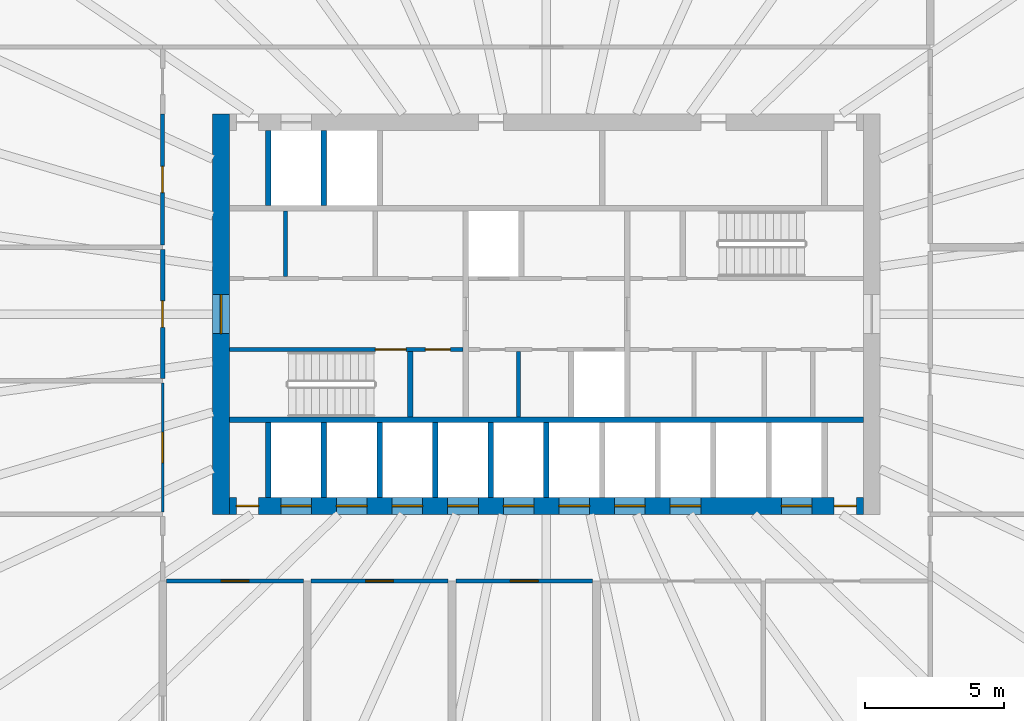
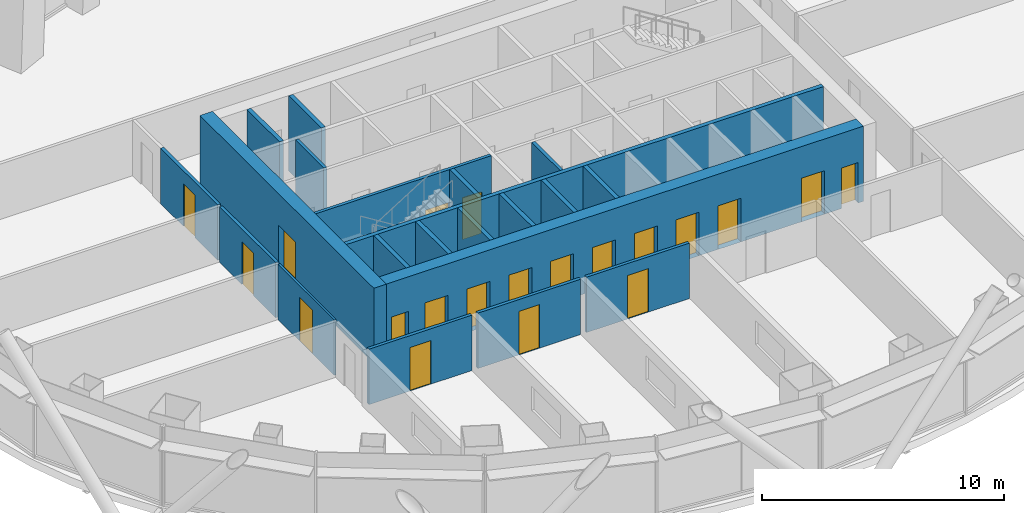
# One storey, part 7 of 16: 21 walls, 20 doors, 20 openings.
"""IFC4 building model written with IfcOpenShell, lengths in metres."""

from ifc_helpers import new_model, si_unit, direction, frame, frame_2d, origin, place, context, subcontext, project, spatial, rectangle, extrude, material, layer, layer_set, type_object, element, fill, save


model = new_model("IFC4")

# Units and contexts
model_context = context("Model", 3, precision=1e-05, world=origin(), true_north=direction((0.0, 1.0)))
body_context = subcontext(model_context, "Body", "Model", "MODEL_VIEW")
ifc_project = project(units=[si_unit("LENGTHUNIT", "METRE"), si_unit("AREAUNIT", "SQUARE_METRE"), si_unit("VOLUMEUNIT", "CUBIC_METRE"), si_unit("PLANEANGLEUNIT", "RADIAN"), si_unit("MASSUNIT", "GRAM", prefix="KILO")], contexts=[model_context])

# Site, building, storey
site_placement = place(None, origin())
site = spatial("IfcSite", under=ifc_project, at=site_placement, CompositionType="ELEMENT")
building_placement = place(site_placement, origin())
building = spatial("IfcBuilding", under=site, at=building_placement, Name="Siaravel Broadcast Tower", CompositionType="ELEMENT")
storey_placement = place(building_placement, frame((0.0, 0.0, 28.699951171875)))
storey = spatial("IfcBuildingStorey", under=building, at=storey_placement, Name="L05", CompositionType="ELEMENT", Elevation=28.699951171875)

# Walls
ifc_material_1 = material(Name="Concrete blockwork", Category="masonry")
ifc_layer_1 = layer(ifc_material_1, 0.14990234375)
ifc_layer_set_1 = layer_set([ifc_layer_1], Name="Concrete blockwork")
wall_type_1 = type_object("IfcWallType", Name="Core partition 150", PredefinedType="PARTITIONING", material=ifc_layer_set_1)
for number, where, z_axis, x_axis, name in (
    (1, (-9.381103515625, 1.35009765625, 0.0), (0.0, 0.0, 1.0), (0.0, 1.0, 0.0), "L05 core partition PNW0"),
    (2, (-1.0, -3.699951171875, 0.0), (0.0, 0.0, 1.0), (0.0, 1.0, 0.0), "L05 core partition PSM0"),
):
    element("IfcWall", number, at=place(storey_placement, frame(where, z_axis=z_axis, x_axis=x_axis)), inside=storey, type_object=wall_type_1, Name=name, PredefinedType="PARTITIONING", context=body_context, shape_type="SweptSolid", body=[
        extrude(rectangle(XDim=2.349853515625, YDim=0.14990234375, at=frame_2d((1.1748046875, 0.0))), origin(), (0.0, 0.0, 1.0), 3.800048828125),
    ])

# Wall, opening, door
ifc_material_2 = material(Name="Concrete C60/75", Category="concrete")
ifc_layer_2 = layer(ifc_material_2, 0.60009765625)
ifc_layer_set_2 = layer_set([ifc_layer_2], Name="Concrete C60/75")
wall_type_2 = type_object("IfcWallType", Name="Core wall 600", PredefinedType="SHEAR", material=ifc_layer_set_2)
wall_1_placement = place(storey_placement, frame((-11.699951171875, -7.199951171875, 0.0), z_axis=(0.0, 0.0, 1.0), x_axis=(0.0, 1.0, 0.0)))
wall_1 = element("IfcWall", 3, at=wall_1_placement, inside=storey, type_object=wall_type_2, Name="L05 core wall OW", PredefinedType="SHEAR", context=body_context, shape_type="SweptSolid", body=[
    extrude(rectangle(XDim=14.39990234375, YDim=0.60009765625, at=frame_2d((7.199951171875, 0.0))), origin(), (0.0, 0.0, 1.0), 3.800048828125),
])
opening_1_placement = place(wall_1_placement, frame((6.5, 0.0, 0.0)))
opening_1 = element("IfcOpeningElement", 4, at=opening_1_placement, cuts=wall_1, Name="Opening L05-DX-W", PredefinedType="OPENING", context=body_context, shape_type="SweptSolid", body=[
    extrude(rectangle(XDim=1.39990234375, YDim=2.199951171875, at=frame_2d((0.699951171875, 1.10009765625))), frame((0.0, 0.31005859375, 0.0), z_axis=(0.0, -1.0, 0.0), x_axis=(1.0, 0.0, 0.0)), (0.0, 0.0, 1.0), 0.6201171875),
])
ifc_material_3 = material(Name="Steel", Category="steel")
door_type_1 = type_object("IfcDoorType", Name="Core exit door 1400", OperationType="DOUBLE_DOOR_SINGLE_SWING", PredefinedType="DOOR", material=ifc_material_3)
door_1_placement = place(opening_1_placement, origin())
door_1 = element("IfcDoor", 5, at=door_1_placement, inside=storey, type_object=door_type_1, Name="L05 door DX-W", OperationType="DOUBLE_DOOR_SINGLE_SWING", OverallHeight=2.199951171875, OverallWidth=1.39990234375, PredefinedType="DOOR", context=body_context, shape_type="SweptSolid", body=[
    extrude(rectangle(XDim=1.39990234375, YDim=2.199951171875, at=frame_2d((0.699951171875, 1.10009765625))), frame((0.0, 0.02490234375, 0.0), z_axis=(0.0, -1.0, 0.0), x_axis=(1.0, 0.0, 0.0)), (0.0, 0.0, 1.0), 0.050048828125),
])
fill(opening_1, door_1)

# Wall, openings, doors
wall_2_placement = place(storey_placement, frame((-11.39990234375, -6.89990234375, 0.0), z_axis=(0.0, 0.0, 1.0), x_axis=(1.0, 0.0, 0.0)))
wall_2 = element("IfcWall", 6, at=wall_2_placement, inside=storey, type_object=wall_type_2, Name="L05 core wall OS", PredefinedType="SHEAR", context=body_context, shape_type="SweptSolid", body=[
    extrude(rectangle(XDim=22.7998046875, YDim=0.60009765625, at=frame_2d((11.39990234375, 0.0))), origin(), (0.0, 0.0, 1.0), 3.800048828125),
])
opening_2_placement = place(wall_2_placement, frame((1.85009765625, 0.0, 0.0)))
opening_2 = element("IfcOpeningElement", 7, at=opening_2_placement, cuts=wall_2, Name="Opening LD-LP1-L05", PredefinedType="OPENING", context=body_context, shape_type="SweptSolid", body=[
    extrude(rectangle(XDim=1.10009765625, YDim=2.199951171875, at=frame_2d((0.550048828125, 1.10009765625))), frame((0.0, 0.31005859375, 0.0), z_axis=(0.0, -1.0, 0.0), x_axis=(1.0, 0.0, 0.0)), (0.0, 0.0, 1.0), 0.6201171875),
])
opening_3_placement = place(wall_2_placement, frame((3.85009765625, 0.0, 0.0)))
opening_3 = element("IfcOpeningElement", 8, at=opening_3_placement, cuts=wall_2, Name="Opening LD-LP2-L05", PredefinedType="OPENING", context=body_context, shape_type="SweptSolid", body=[
    extrude(rectangle(XDim=1.10009765625, YDim=2.199951171875, at=frame_2d((0.550048828125, 1.10009765625))), frame((0.0, 0.31005859375, 0.0), z_axis=(0.0, -1.0, 0.0), x_axis=(1.0, 0.0, 0.0)), (0.0, 0.0, 1.0), 0.6201171875),
])
opening_4_placement = place(wall_2_placement, frame((5.85009765625, 0.0, 0.0)))
opening_4 = element("IfcOpeningElement", 9, at=opening_4_placement, cuts=wall_2, Name="Opening LD-LP3-L05", PredefinedType="OPENING", context=body_context, shape_type="SweptSolid", body=[
    extrude(rectangle(XDim=1.10009765625, YDim=2.199951171875, at=frame_2d((0.550048828125, 1.10009765625))), frame((0.0, 0.31005859375, 0.0), z_axis=(0.0, -1.0, 0.0), x_axis=(1.0, 0.0, 0.0)), (0.0, 0.0, 1.0), 0.6201171875),
])
opening_5_placement = place(wall_2_placement, frame((7.85009765625, 0.0, 0.0)))
opening_5 = element("IfcOpeningElement", 10, at=opening_5_placement, cuts=wall_2, Name="Opening LD-LP4-L05", PredefinedType="OPENING", context=body_context, shape_type="SweptSolid", body=[
    extrude(rectangle(XDim=1.10009765625, YDim=2.199951171875, at=frame_2d((0.550048828125, 1.10009765625))), frame((0.0, 0.31005859375, 0.0), z_axis=(0.0, -1.0, 0.0), x_axis=(1.0, 0.0, 0.0)), (0.0, 0.0, 1.0), 0.6201171875),
])
opening_6_placement = place(wall_2_placement, frame((9.85009765625, 0.0, 0.0)))
opening_6 = element("IfcOpeningElement", 11, at=opening_6_placement, cuts=wall_2, Name="Opening LD-LP5-L05", PredefinedType="OPENING", context=body_context, shape_type="SweptSolid", body=[
    extrude(rectangle(XDim=1.10009765625, YDim=2.199951171875, at=frame_2d((0.550048828125, 1.10009765625))), frame((0.0, 0.31005859375, 0.0), z_axis=(0.0, -1.0, 0.0), x_axis=(1.0, 0.0, 0.0)), (0.0, 0.0, 1.0), 0.6201171875),
])
opening_7_placement = place(wall_2_placement, frame((11.85009765625, 0.0, 0.0)))
opening_7 = element("IfcOpeningElement", 12, at=opening_7_placement, cuts=wall_2, Name="Opening LD-LP6-L05", PredefinedType="OPENING", context=body_context, shape_type="SweptSolid", body=[
    extrude(rectangle(XDim=1.10009765625, YDim=2.199951171875, at=frame_2d((0.550048828125, 1.10009765625))), frame((0.0, 0.31005859375, 0.0), z_axis=(0.0, -1.0, 0.0), x_axis=(1.0, 0.0, 0.0)), (0.0, 0.0, 1.0), 0.6201171875),
])
opening_8_placement = place(wall_2_placement, frame((13.85009765625, 0.0, 0.0)))
opening_8 = element("IfcOpeningElement", 13, at=opening_8_placement, cuts=wall_2, Name="Opening LD-LP7-L05", PredefinedType="OPENING", context=body_context, shape_type="SweptSolid", body=[
    extrude(rectangle(XDim=1.10009765625, YDim=2.199951171875, at=frame_2d((0.550048828125, 1.10009765625))), frame((0.0, 0.31005859375, 0.0), z_axis=(0.0, -1.0, 0.0), x_axis=(1.0, 0.0, 0.0)), (0.0, 0.0, 1.0), 0.6201171875),
])
opening_9_placement = place(wall_2_placement, frame((15.85009765625, 0.0, 0.0)))
opening_9 = element("IfcOpeningElement", 14, at=opening_9_placement, cuts=wall_2, Name="Opening LD-LP8-L05", PredefinedType="OPENING", context=body_context, shape_type="SweptSolid", body=[
    extrude(rectangle(XDim=1.10009765625, YDim=2.199951171875, at=frame_2d((0.550048828125, 1.10009765625))), frame((0.0, 0.31005859375, 0.0), z_axis=(0.0, -1.0, 0.0), x_axis=(1.0, 0.0, 0.0)), (0.0, 0.0, 1.0), 0.6201171875),
])
opening_10_placement = place(wall_2_placement, frame((19.85009765625, 0.0, 0.0)))
opening_10 = element("IfcOpeningElement", 15, at=opening_10_placement, cuts=wall_2, Name="Opening LD-SV1-L05", PredefinedType="OPENING", context=body_context, shape_type="SweptSolid", body=[
    extrude(rectangle(XDim=1.10009765625, YDim=2.199951171875, at=frame_2d((0.550048828125, 1.10009765625))), frame((0.0, 0.31005859375, 0.0), z_axis=(0.0, -1.0, 0.0), x_axis=(1.0, 0.0, 0.0)), (0.0, 0.0, 1.0), 0.6201171875),
])
opening_11_placement = place(wall_2_placement, frame((0.25, 0.0, 0.0)))
opening_11 = element("IfcOpeningElement", 16, at=opening_11_placement, cuts=wall_2, Name="Opening L05-DRSW", PredefinedType="OPENING", context=body_context, shape_type="SweptSolid", body=[
    extrude(rectangle(XDim=0.800048828125, YDim=2.050048828125, at=frame_2d((0.39990234375, 1.02490234375))), frame((0.0, 0.31005859375, 0.0), z_axis=(0.0, -1.0, 0.0), x_axis=(1.0, 0.0, 0.0)), (0.0, 0.0, 1.0), 0.6201171875),
])
opening_12_placement = place(wall_2_placement, frame((21.75, 0.0, 0.0)))
opening_12 = element("IfcOpeningElement", 17, at=opening_12_placement, cuts=wall_2, Name="Opening L05-DRSE", PredefinedType="OPENING", context=body_context, shape_type="SweptSolid", body=[
    extrude(rectangle(XDim=0.800048828125, YDim=2.050048828125, at=frame_2d((0.39990234375, 1.02490234375))), frame((0.0, 0.31005859375, 0.0), z_axis=(0.0, -1.0, 0.0), x_axis=(1.0, 0.0, 0.0)), (0.0, 0.0, 1.0), 0.6201171875),
])
ifc_material_4 = material(Name="Stainless steel 316L", Category="steel")
door_type_2 = type_object("IfcDoorType", Name="Lift landing door 1100", OperationType="DOUBLE_DOOR_SLIDING", PredefinedType="DOOR", material=ifc_material_4)
door_2_placement = place(opening_2_placement, origin())
door_2 = element("IfcDoor", 18, at=door_2_placement, inside=storey, type_object=door_type_2, Name="Landing door LP1 L05", OperationType="DOUBLE_DOOR_SLIDING", OverallHeight=2.199951171875, OverallWidth=1.10009765625, PredefinedType="DOOR", context=body_context, shape_type="SweptSolid", body=[
    extrude(rectangle(XDim=1.10009765625, YDim=2.199951171875, at=frame_2d((0.550048828125, 1.10009765625))), frame((0.0, 0.02490234375, 0.0), z_axis=(0.0, -1.0, 0.0), x_axis=(1.0, 0.0, 0.0)), (0.0, 0.0, 1.0), 0.050048828125),
])
fill(opening_2, door_2)
door_3_placement = place(opening_3_placement, origin())
door_3 = element("IfcDoor", 19, at=door_3_placement, inside=storey, type_object=door_type_2, Name="Landing door LP2 L05", OperationType="DOUBLE_DOOR_SLIDING", OverallHeight=2.199951171875, OverallWidth=1.10009765625, PredefinedType="DOOR", context=body_context, shape_type="SweptSolid", body=[
    extrude(rectangle(XDim=1.10009765625, YDim=2.199951171875, at=frame_2d((0.550048828125, 1.10009765625))), frame((0.0, 0.02490234375, 0.0), z_axis=(0.0, -1.0, 0.0), x_axis=(1.0, 0.0, 0.0)), (0.0, 0.0, 1.0), 0.050048828125),
])
fill(opening_3, door_3)
door_4_placement = place(opening_4_placement, origin())
door_4 = element("IfcDoor", 20, at=door_4_placement, inside=storey, type_object=door_type_2, Name="Landing door LP3 L05", OperationType="DOUBLE_DOOR_SLIDING", OverallHeight=2.199951171875, OverallWidth=1.10009765625, PredefinedType="DOOR", context=body_context, shape_type="SweptSolid", body=[
    extrude(rectangle(XDim=1.10009765625, YDim=2.199951171875, at=frame_2d((0.550048828125, 1.10009765625))), frame((0.0, 0.02490234375, 0.0), z_axis=(0.0, -1.0, 0.0), x_axis=(1.0, 0.0, 0.0)), (0.0, 0.0, 1.0), 0.050048828125),
])
fill(opening_4, door_4)
door_5_placement = place(opening_5_placement, origin())
door_5 = element("IfcDoor", 21, at=door_5_placement, inside=storey, type_object=door_type_2, Name="Landing door LP4 L05", OperationType="DOUBLE_DOOR_SLIDING", OverallHeight=2.199951171875, OverallWidth=1.10009765625, PredefinedType="DOOR", context=body_context, shape_type="SweptSolid", body=[
    extrude(rectangle(XDim=1.10009765625, YDim=2.199951171875, at=frame_2d((0.550048828125, 1.10009765625))), frame((0.0, 0.02490234375, 0.0), z_axis=(0.0, -1.0, 0.0), x_axis=(1.0, 0.0, 0.0)), (0.0, 0.0, 1.0), 0.050048828125),
])
fill(opening_5, door_5)
door_6_placement = place(opening_6_placement, origin())
door_6 = element("IfcDoor", 22, at=door_6_placement, inside=storey, type_object=door_type_2, Name="Landing door LP5 L05", OperationType="DOUBLE_DOOR_SLIDING", OverallHeight=2.199951171875, OverallWidth=1.10009765625, PredefinedType="DOOR", context=body_context, shape_type="SweptSolid", body=[
    extrude(rectangle(XDim=1.10009765625, YDim=2.199951171875, at=frame_2d((0.550048828125, 1.10009765625))), frame((0.0, 0.02490234375, 0.0), z_axis=(0.0, -1.0, 0.0), x_axis=(1.0, 0.0, 0.0)), (0.0, 0.0, 1.0), 0.050048828125),
])
fill(opening_6, door_6)
door_7_placement = place(opening_7_placement, origin())
door_7 = element("IfcDoor", 23, at=door_7_placement, inside=storey, type_object=door_type_2, Name="Landing door LP6 L05", OperationType="DOUBLE_DOOR_SLIDING", OverallHeight=2.199951171875, OverallWidth=1.10009765625, PredefinedType="DOOR", context=body_context, shape_type="SweptSolid", body=[
    extrude(rectangle(XDim=1.10009765625, YDim=2.199951171875, at=frame_2d((0.550048828125, 1.10009765625))), frame((0.0, 0.02490234375, 0.0), z_axis=(0.0, -1.0, 0.0), x_axis=(1.0, 0.0, 0.0)), (0.0, 0.0, 1.0), 0.050048828125),
])
fill(opening_7, door_7)
door_8_placement = place(opening_8_placement, origin())
door_8 = element("IfcDoor", 24, at=door_8_placement, inside=storey, type_object=door_type_2, Name="Landing door LP7 L05", OperationType="DOUBLE_DOOR_SLIDING", OverallHeight=2.199951171875, OverallWidth=1.10009765625, PredefinedType="DOOR", context=body_context, shape_type="SweptSolid", body=[
    extrude(rectangle(XDim=1.10009765625, YDim=2.199951171875, at=frame_2d((0.550048828125, 1.10009765625))), frame((0.0, 0.02490234375, 0.0), z_axis=(0.0, -1.0, 0.0), x_axis=(1.0, 0.0, 0.0)), (0.0, 0.0, 1.0), 0.050048828125),
])
fill(opening_8, door_8)
door_9_placement = place(opening_9_placement, origin())
door_9 = element("IfcDoor", 25, at=door_9_placement, inside=storey, type_object=door_type_2, Name="Landing door LP8 L05", OperationType="DOUBLE_DOOR_SLIDING", OverallHeight=2.199951171875, OverallWidth=1.10009765625, PredefinedType="DOOR", context=body_context, shape_type="SweptSolid", body=[
    extrude(rectangle(XDim=1.10009765625, YDim=2.199951171875, at=frame_2d((0.550048828125, 1.10009765625))), frame((0.0, 0.02490234375, 0.0), z_axis=(0.0, -1.0, 0.0), x_axis=(1.0, 0.0, 0.0)), (0.0, 0.0, 1.0), 0.050048828125),
])
fill(opening_9, door_9)
door_type_3 = type_object("IfcDoorType", Name="Riser door 800", OperationType="SINGLE_SWING_LEFT", PredefinedType="DOOR", material=ifc_material_3)
door_10_placement = place(opening_11_placement, origin())
door_10 = element("IfcDoor", 26, at=door_10_placement, inside=storey, type_object=door_type_3, Name="L05 door DRSW", OperationType="SINGLE_SWING_LEFT", OverallHeight=2.050048828125, OverallWidth=0.800048828125, PredefinedType="DOOR", context=body_context, shape_type="SweptSolid", body=[
    extrude(rectangle(XDim=0.800048828125, YDim=2.050048828125, at=frame_2d((0.39990234375, 1.02490234375))), frame((0.0, 0.02490234375, 0.0), z_axis=(0.0, -1.0, 0.0), x_axis=(1.0, 0.0, 0.0)), (0.0, 0.0, 1.0), 0.050048828125),
])
fill(opening_11, door_10)
door_11_placement = place(opening_12_placement, origin())
door_11 = element("IfcDoor", 27, at=door_11_placement, inside=storey, type_object=door_type_3, Name="L05 door DRSE", OperationType="SINGLE_SWING_LEFT", OverallHeight=2.050048828125, OverallWidth=0.800048828125, PredefinedType="DOOR", context=body_context, shape_type="SweptSolid", body=[
    extrude(rectangle(XDim=0.800048828125, YDim=2.050048828125, at=frame_2d((0.39990234375, 1.02490234375))), frame((0.0, 0.02490234375, 0.0), z_axis=(0.0, -1.0, 0.0), x_axis=(1.0, 0.0, 0.0)), (0.0, 0.0, 1.0), 0.050048828125),
])
fill(opening_12, door_11)
door_type_4 = type_object("IfcDoorType", Name="Service lift landing door 1100", OperationType="DOUBLE_DOOR_SLIDING", PredefinedType="DOOR", material=ifc_material_4)
door_12_placement = place(opening_10_placement, origin())
door_12 = element("IfcDoor", 28, at=door_12_placement, inside=storey, type_object=door_type_4, Name="Landing door SV1 L05", OperationType="DOUBLE_DOOR_SLIDING", OverallHeight=2.199951171875, OverallWidth=1.10009765625, PredefinedType="DOOR", context=body_context, shape_type="SweptSolid", body=[
    extrude(rectangle(XDim=1.10009765625, YDim=2.199951171875, at=frame_2d((0.550048828125, 1.10009765625))), frame((0.0, 0.02490234375, 0.0), z_axis=(0.0, -1.0, 0.0), x_axis=(1.0, 0.0, 0.0)), (0.0, 0.0, 1.0), 0.050048828125),
])
fill(opening_10, door_12)

# Wall, opening, door
ifc_material_5 = material(Name="Gypsum board partition", Category="gypsum")
ifc_layer_3 = layer(ifc_material_5, 0.14990234375)
ifc_layer_set_3 = layer_set([ifc_layer_3], Name="Gypsum board partition")
wall_type_3 = type_object("IfcWallType", Name="Corridor wall 150", PredefinedType="PARTITIONING", material=ifc_layer_set_3)
wall_3_placement = place(storey_placement, frame((-13.657958984375, -9.60009765625, 0.0), z_axis=(0.0, 0.0, 1.0), x_axis=(1.0, 0.0, 0.0)))
wall_3 = element("IfcWall", 29, at=wall_3_placement, inside=storey, type_object=wall_type_3, Name="L05 partition 18", PredefinedType="PARTITIONING", context=body_context, shape_type="SweptSolid", body=[
    extrude(rectangle(XDim=4.916015625, YDim=0.14990234375, at=frame_2d((2.4580078125, 0.0))), origin(), (0.0, 0.0, 1.0), 2.800048828125),
])
opening_13_placement = place(wall_3_placement, frame((1.9580078125, 0.0, 0.0)))
opening_13 = element("IfcOpeningElement", 30, at=opening_13_placement, cuts=wall_3, Name="Opening L05-011", PredefinedType="OPENING", context=body_context, shape_type="SweptSolid", body=[
    extrude(rectangle(XDim=1.0, YDim=2.199951171875, at=frame_2d((0.5, 1.10009765625))), frame((0.0, 0.0849609375, 0.0), z_axis=(0.0, -1.0, 0.0), x_axis=(1.0, 0.0, 0.0)), (0.0, 0.0, 1.0), 0.169921875),
])
ifc_material_6 = material(Name="Acoustic timber and steel", Category="steel")
door_type_5 = type_object("IfcDoorType", Name="Acoustic door 1000", OperationType="SINGLE_SWING_LEFT", PredefinedType="DOOR", material=ifc_material_6)
door_13_placement = place(opening_13_placement, origin())
door_13 = element("IfcDoor", 31, at=door_13_placement, inside=storey, type_object=door_type_5, Name="L05 door to Control room", OperationType="SINGLE_SWING_LEFT", OverallHeight=2.199951171875, OverallWidth=1.0, PredefinedType="DOOR", context=body_context, shape_type="SweptSolid", body=[
    extrude(rectangle(XDim=1.0, YDim=2.199951171875, at=frame_2d((0.5, 1.10009765625))), frame((0.0, 0.02490234375, 0.0), z_axis=(0.0, -1.0, 0.0), x_axis=(1.0, 0.0, 0.0)), (0.0, 0.0, 1.0), 0.050048828125),
])
fill(opening_13, door_13)

wall_4_placement = place(storey_placement, frame((-3.258056640625, -9.60009765625, 0.0), z_axis=(0.0, 0.0, 1.0), x_axis=(1.0, 0.0, 0.0)))
wall_4 = element("IfcWall", 32, at=wall_4_placement, inside=storey, type_object=wall_type_3, Name="L05 partition 19", PredefinedType="PARTITIONING", context=body_context, shape_type="SweptSolid", body=[
    extrude(rectangle(XDim=4.916015625, YDim=0.14990234375, at=frame_2d((2.4580078125, 0.0))), origin(), (0.0, 0.0, 1.0), 2.800048828125),
])
opening_14_placement = place(wall_4_placement, frame((1.9580078125, 0.0, 0.0)))
opening_14 = element("IfcOpeningElement", 33, at=opening_14_placement, cuts=wall_4, Name="Opening L05-013", PredefinedType="OPENING", context=body_context, shape_type="SweptSolid", body=[
    extrude(rectangle(XDim=1.0, YDim=2.199951171875, at=frame_2d((0.5, 1.10009765625))), frame((0.0, 0.0849609375, 0.0), z_axis=(0.0, -1.0, 0.0), x_axis=(1.0, 0.0, 0.0)), (0.0, 0.0, 1.0), 0.169921875),
])
door_14_placement = place(opening_14_placement, origin())
door_14 = element("IfcDoor", 34, at=door_14_placement, inside=storey, type_object=door_type_5, Name="L05 door to Control room", OperationType="SINGLE_SWING_LEFT", OverallHeight=2.199951171875, OverallWidth=1.0, PredefinedType="DOOR", context=body_context, shape_type="SweptSolid", body=[
    extrude(rectangle(XDim=1.0, YDim=2.199951171875, at=frame_2d((0.5, 1.10009765625))), frame((0.0, 0.02490234375, 0.0), z_axis=(0.0, -1.0, 0.0), x_axis=(1.0, 0.0, 0.0)), (0.0, 0.0, 1.0), 0.050048828125),
])
fill(opening_14, door_14)

wall_5_placement = place(storey_placement, frame((-8.4580078125, -9.60009765625, 0.0), z_axis=(0.0, 0.0, 1.0), x_axis=(1.0, 0.0, 0.0)))
wall_5 = element("IfcWall", 35, at=wall_5_placement, inside=storey, type_object=wall_type_3, Name="L05 partition 20", PredefinedType="PARTITIONING", context=body_context, shape_type="SweptSolid", body=[
    extrude(rectangle(XDim=4.916015625, YDim=0.14990234375, at=frame_2d((2.4580078125, 0.0))), origin(), (0.0, 0.0, 1.0), 2.800048828125),
])
opening_15_placement = place(wall_5_placement, frame((1.9580078125, 0.0, 0.0)))
opening_15 = element("IfcOpeningElement", 36, at=opening_15_placement, cuts=wall_5, Name="Opening L05-012", PredefinedType="OPENING", context=body_context, shape_type="SweptSolid", body=[
    extrude(rectangle(XDim=1.0, YDim=2.199951171875, at=frame_2d((0.5, 1.10009765625))), frame((0.0, 0.0849609375, 0.0), z_axis=(0.0, -1.0, 0.0), x_axis=(1.0, 0.0, 0.0)), (0.0, 0.0, 1.0), 0.169921875),
])
door_15_placement = place(opening_15_placement, origin())
door_15 = element("IfcDoor", 37, at=door_15_placement, inside=storey, type_object=door_type_5, Name="L05 door to Control room", OperationType="SINGLE_SWING_RIGHT", OverallHeight=2.199951171875, OverallWidth=1.0, PredefinedType="DOOR", context=body_context, shape_type="SweptSolid", body=[
    extrude(rectangle(XDim=1.0, YDim=2.199951171875, at=frame_2d((0.5, 1.10009765625))), frame((0.0, 0.02490234375, 0.0), z_axis=(0.0, -1.0, 0.0), x_axis=(1.0, 0.0, 0.0)), (0.0, 0.0, 1.0), 0.050048828125),
])
fill(opening_15, door_15)

wall_6_placement = place(storey_placement, frame((-13.800048828125, 2.323974609375, 0.0), z_axis=(0.0, 0.0, 1.0), x_axis=(0.0, -1.0, 0.0)))
wall_6 = element("IfcWall", 38, at=wall_6_placement, inside=storey, type_object=wall_type_3, Name="L05 partition 23", PredefinedType="PARTITIONING", context=body_context, shape_type="SweptSolid", body=[
    extrude(rectangle(XDim=4.64697265625, YDim=0.14990234375, at=frame_2d((2.323486328125, 0.0))), origin(), (0.0, 0.0, 1.0), 2.800048828125),
])
opening_16_placement = place(wall_6_placement, frame((1.848388671875, 0.0, 0.0)))
opening_16 = element("IfcOpeningElement", 39, at=opening_16_placement, cuts=wall_6, Name="Opening L05-004", PredefinedType="OPENING", context=body_context, shape_type="SweptSolid", body=[
    extrude(rectangle(XDim=0.949951171875, YDim=2.14990234375, at=frame_2d((0.47509765625, 1.074951171875))), frame((0.0, 0.0849609375, 0.0), z_axis=(0.0, -1.0, 0.0), x_axis=(1.0, 0.0, 0.0)), (0.0, 0.0, 1.0), 0.169921875),
])
ifc_material_7 = material(Name="Timber veneer", Category="wood")
door_type_6 = type_object("IfcDoorType", Name="Office door 950", OperationType="SINGLE_SWING_LEFT", PredefinedType="DOOR", material=ifc_material_7)
door_16_placement = place(opening_16_placement, origin())
door_16 = element("IfcDoor", 40, at=door_16_placement, inside=storey, type_object=door_type_6, Name="L05 door to Production office", OperationType="SINGLE_SWING_RIGHT", OverallHeight=2.14990234375, OverallWidth=0.949951171875, PredefinedType="DOOR", context=body_context, shape_type="SweptSolid", body=[
    extrude(rectangle(XDim=0.949951171875, YDim=2.14990234375, at=frame_2d((0.47509765625, 1.074951171875))), frame((0.0, 0.02490234375, 0.0), z_axis=(0.0, -1.0, 0.0), x_axis=(1.0, 0.0, 0.0)), (0.0, 0.0, 1.0), 0.050048828125),
])
fill(opening_16, door_16)

wall_7_placement = place(storey_placement, frame((-13.801025390625, 7.198974609375, 0.0), z_axis=(0.0, 0.0, 1.0), x_axis=(0.0, -1.0, 0.0)))
wall_7 = element("IfcWall", 41, at=wall_7_placement, inside=storey, type_object=wall_type_3, Name="L05 partition 24", PredefinedType="PARTITIONING", context=body_context, shape_type="SweptSolid", body=[
    extrude(rectangle(XDim=4.720947265625, YDim=0.14990234375, at=frame_2d((2.3603515625, 0.0))), origin(), (0.0, 0.0, 1.0), 2.800048828125),
])
opening_17_placement = place(wall_7_placement, frame((1.885498046875, 0.0, 0.0)))
opening_17 = element("IfcOpeningElement", 42, at=opening_17_placement, cuts=wall_7, Name="Opening L05-005", PredefinedType="OPENING", context=body_context, shape_type="SweptSolid", body=[
    extrude(rectangle(XDim=0.949951171875, YDim=2.14990234375, at=frame_2d((0.47509765625, 1.074951171875))), frame((0.0, 0.0849609375, 0.0), z_axis=(0.0, -1.0, 0.0), x_axis=(1.0, 0.0, 0.0)), (0.0, 0.0, 1.0), 0.169921875),
])
door_17_placement = place(opening_17_placement, origin())
door_17 = element("IfcDoor", 43, at=door_17_placement, inside=storey, type_object=door_type_6, Name="L05 door to Production office", OperationType="SINGLE_SWING_LEFT", OverallHeight=2.14990234375, OverallWidth=0.949951171875, PredefinedType="DOOR", context=body_context, shape_type="SweptSolid", body=[
    extrude(rectangle(XDim=0.949951171875, YDim=2.14990234375, at=frame_2d((0.47509765625, 1.074951171875))), frame((0.0, 0.02490234375, 0.0), z_axis=(0.0, -1.0, 0.0), x_axis=(1.0, 0.0, 0.0)), (0.0, 0.0, 1.0), 0.050048828125),
])
fill(opening_17, door_17)

ifc_material_8 = material(Name="Glazed aluminium partition", Category="aluminium")
ifc_layer_4 = layer(ifc_material_8, 0.10009765625)
ifc_layer_set_4 = layer_set([ifc_layer_4], Name="Glazed aluminium partition")
wall_type_4 = type_object("IfcWallType", Name="Glazed meeting room partition 100", PredefinedType="PARTITIONING", material=ifc_layer_set_4)
wall_8_placement = place(storey_placement, frame((-13.800048828125, -2.47705078125, 0.0), z_axis=(0.0, 0.0, 1.0), x_axis=(0.0, -1.0, 0.0)))
wall_8 = element("IfcWall", 44, at=wall_8_placement, inside=storey, type_object=wall_type_4, Name="L05 partition 22", PredefinedType="PARTITIONING", context=body_context, shape_type="SweptSolid", body=[
    extrude(rectangle(XDim=4.64599609375, YDim=0.10009765625, at=frame_2d((2.322998046875, 0.0))), origin(), (0.0, 0.0, 1.0), 2.800048828125),
])
opening_18_placement = place(wall_8_placement, frame((1.77294921875, 0.0, 0.0)))
opening_18 = element("IfcOpeningElement", 45, at=opening_18_placement, cuts=wall_8, Name="Opening L05-003", PredefinedType="OPENING", context=body_context, shape_type="SweptSolid", body=[
    extrude(rectangle(XDim=1.10009765625, YDim=2.199951171875, at=frame_2d((0.550048828125, 1.10009765625))), frame((0.0, 0.06005859375, 0.0), z_axis=(0.0, -1.0, 0.0), x_axis=(1.0, 0.0, 0.0)), (0.0, 0.0, 1.0), 0.1201171875),
])
door_type_7 = type_object("IfcDoorType", Name="Meeting room door 1100", OperationType="SINGLE_SWING_LEFT", PredefinedType="DOOR", material=ifc_material_7)
door_18_placement = place(opening_18_placement, origin())
door_18 = element("IfcDoor", 46, at=door_18_placement, inside=storey, type_object=door_type_7, Name="L05 door to Meeting room", OperationType="SINGLE_SWING_LEFT", OverallHeight=2.199951171875, OverallWidth=1.10009765625, PredefinedType="DOOR", context=body_context, shape_type="SweptSolid", body=[
    extrude(rectangle(XDim=1.10009765625, YDim=2.199951171875, at=frame_2d((0.550048828125, 1.10009765625))), frame((0.0, 0.02490234375, 0.0), z_axis=(0.0, -1.0, 0.0), x_axis=(1.0, 0.0, 0.0)), (0.0, 0.0, 1.0), 0.050048828125),
])
fill(opening_18, door_18)

# Wall, openings, doors
ifc_layer_5 = layer(ifc_material_2, 0.14990234375)
ifc_layer_set_5 = layer_set([ifc_layer_5], Name="Concrete C60/75")
wall_type_5 = type_object("IfcWallType", Name="Shaft wall 150", PredefinedType="SHEAR", material=ifc_layer_set_5)
wall_9_placement = place(storey_placement, frame((-11.39990234375, -1.27490234375, 0.0), z_axis=(0.0, 0.0, 1.0), x_axis=(1.0, 0.0, 0.0)))
wall_9 = element("IfcWall", 47, at=wall_9_placement, inside=storey, type_object=wall_type_5, Name="L05 core wall CSW", PredefinedType="SHEAR", context=body_context, shape_type="SweptSolid", body=[
    extrude(rectangle(XDim=8.39990234375, YDim=0.14990234375, at=frame_2d((4.199951171875, 0.0))), origin(), (0.0, 0.0, 1.0), 3.800048828125),
])
opening_19_placement = place(wall_9_placement, frame((5.25, 0.0, 0.0)))
opening_19 = element("IfcOpeningElement", 48, at=opening_19_placement, cuts=wall_9, Name="Opening L05-DS-1", PredefinedType="OPENING", context=body_context, shape_type="SweptSolid", body=[
    extrude(rectangle(XDim=1.10009765625, YDim=2.14990234375, at=frame_2d((0.550048828125, 1.074951171875))), frame((0.0, 0.0849609375, 0.0), z_axis=(0.0, -1.0, 0.0), x_axis=(1.0, 0.0, 0.0)), (0.0, 0.0, 1.0), 0.169921875),
])
opening_20_placement = place(wall_9_placement, frame((7.050048828125, 0.0, 0.0)))
opening_20 = element("IfcOpeningElement", 49, at=opening_20_placement, cuts=wall_9, Name="Opening L05-DSW0", PredefinedType="OPENING", context=body_context, shape_type="SweptSolid", body=[
    extrude(rectangle(XDim=0.89990234375, YDim=2.10009765625, at=frame_2d((0.449951171875, 1.050048828125))), frame((0.0, 0.0849609375, 0.0), z_axis=(0.0, -1.0, 0.0), x_axis=(1.0, 0.0, 0.0)), (0.0, 0.0, 1.0), 0.169921875),
])
door_type_8 = type_object("IfcDoorType", Name="Core room door 900", OperationType="SINGLE_SWING_LEFT", PredefinedType="DOOR", material=ifc_material_7)
door_19_placement = place(opening_20_placement, origin())
door_19 = element("IfcDoor", 50, at=door_19_placement, inside=storey, type_object=door_type_8, Name="L05 door DSW0", OperationType="SINGLE_SWING_LEFT", OverallHeight=2.10009765625, OverallWidth=0.89990234375, PredefinedType="DOOR", context=body_context, shape_type="SweptSolid", body=[
    extrude(rectangle(XDim=0.89990234375, YDim=2.10009765625, at=frame_2d((0.449951171875, 1.050048828125))), frame((0.0, 0.02490234375, 0.0), z_axis=(0.0, -1.0, 0.0), x_axis=(1.0, 0.0, 0.0)), (0.0, 0.0, 1.0), 0.050048828125),
])
fill(opening_20, door_19)
door_type_9 = type_object("IfcDoorType", Name="Stair door 1100", OperationType="SINGLE_SWING_LEFT", PredefinedType="DOOR", material=ifc_material_3)
door_20_placement = place(opening_19_placement, origin())
door_20 = element("IfcDoor", 51, at=door_20_placement, inside=storey, type_object=door_type_9, Name="L05 door DS-1", OperationType="SINGLE_SWING_LEFT", OverallHeight=2.14990234375, OverallWidth=1.10009765625, PredefinedType="DOOR", context=body_context, shape_type="SweptSolid", body=[
    extrude(rectangle(XDim=1.10009765625, YDim=2.14990234375, at=frame_2d((0.550048828125, 1.074951171875))), frame((0.0, 0.02490234375, 0.0), z_axis=(0.0, -1.0, 0.0), x_axis=(1.0, 0.0, 0.0)), (0.0, 0.0, 1.0), 0.050048828125),
])
fill(opening_19, door_20)

# Walls
ifc_layer_6 = layer(ifc_material_2, 0.199951171875)
ifc_layer_set_6 = layer_set([ifc_layer_6], Name="Concrete C60/75")
wall_type_6 = type_object("IfcWallType", Name="Shaft wall 200", PredefinedType="SHEAR", material=ifc_layer_set_6)
wall_10_placement = place(storey_placement, frame((-11.39990234375, -3.800048828125, 0.0), z_axis=(0.0, 0.0, 1.0), x_axis=(1.0, 0.0, 0.0)))
element("IfcWall", 52, at=wall_10_placement, inside=storey, type_object=wall_type_6, Name="L05 core wall BS", PredefinedType="SHEAR", context=body_context, shape_type="SweptSolid", body=[
    extrude(rectangle(XDim=22.7998046875, YDim=0.199951171875, at=frame_2d((11.39990234375, 0.0))), origin(), (0.0, 0.0, 1.0), 3.800048828125),
])
for number, where, z_axis, x_axis, name in (
    (53, (-10.0, -6.60009765625, 0.0), (0.0, 0.0, 1.0), (0.0, 1.0, 0.0), "L05 core wall SWS0"),
    (54, (-8.0, -6.60009765625, 0.0), (0.0, 0.0, 1.0), (0.0, 1.0, 0.0), "L05 core wall SWS1"),
    (55, (-6.0, -6.60009765625, 0.0), (0.0, 0.0, 1.0), (0.0, 1.0, 0.0), "L05 core wall SWS2"),
    (56, (-4.0, -6.60009765625, 0.0), (0.0, 0.0, 1.0), (0.0, 1.0, 0.0), "L05 core wall SWS3"),
    (57, (-2.0, -6.60009765625, 0.0), (0.0, 0.0, 1.0), (0.0, 1.0, 0.0), "L05 core wall SWS4"),
    (58, (0.0, -6.60009765625, 0.0), (0.0, 0.0, 1.0), (0.0, 1.0, 0.0), "L05 core wall SWS5"),
    (59, (-10.0, 3.89990234375, 0.0), (0.0, 0.0, 1.0), (0.0, 1.0, 0.0), "L05 core wall SWN0"),
    (60, (-8.0, 3.89990234375, 0.0), (0.0, 0.0, 1.0), (0.0, 1.0, 0.0), "L05 core wall SWN1"),
):
    element("IfcWall", number, at=place(storey_placement, frame(where, z_axis=z_axis, x_axis=x_axis)), inside=storey, type_object=wall_type_6, Name=name, PredefinedType="SHEAR", context=body_context, shape_type="SweptSolid", body=[
        extrude(rectangle(XDim=2.7001953125, YDim=0.199951171875, at=frame_2d((1.35009765625, 0.0))), origin(), (0.0, 0.0, 1.0), 3.800048828125),
    ])
wall_11_placement = place(storey_placement, frame((-4.89990234375, -3.699951171875, 0.0), z_axis=(0.0, 0.0, 1.0), x_axis=(0.0, 1.0, 0.0)))
element("IfcWall", 61, at=wall_11_placement, inside=storey, type_object=wall_type_6, Name="L05 core wall ST1E", PredefinedType="SHEAR", context=body_context, shape_type="SweptSolid", body=[
    extrude(rectangle(XDim=2.349853515625, YDim=0.199951171875, at=frame_2d((1.1748046875, 0.0))), origin(), (0.0, 0.0, 1.0), 3.800048828125),
])

save(model, "model.ifc")
